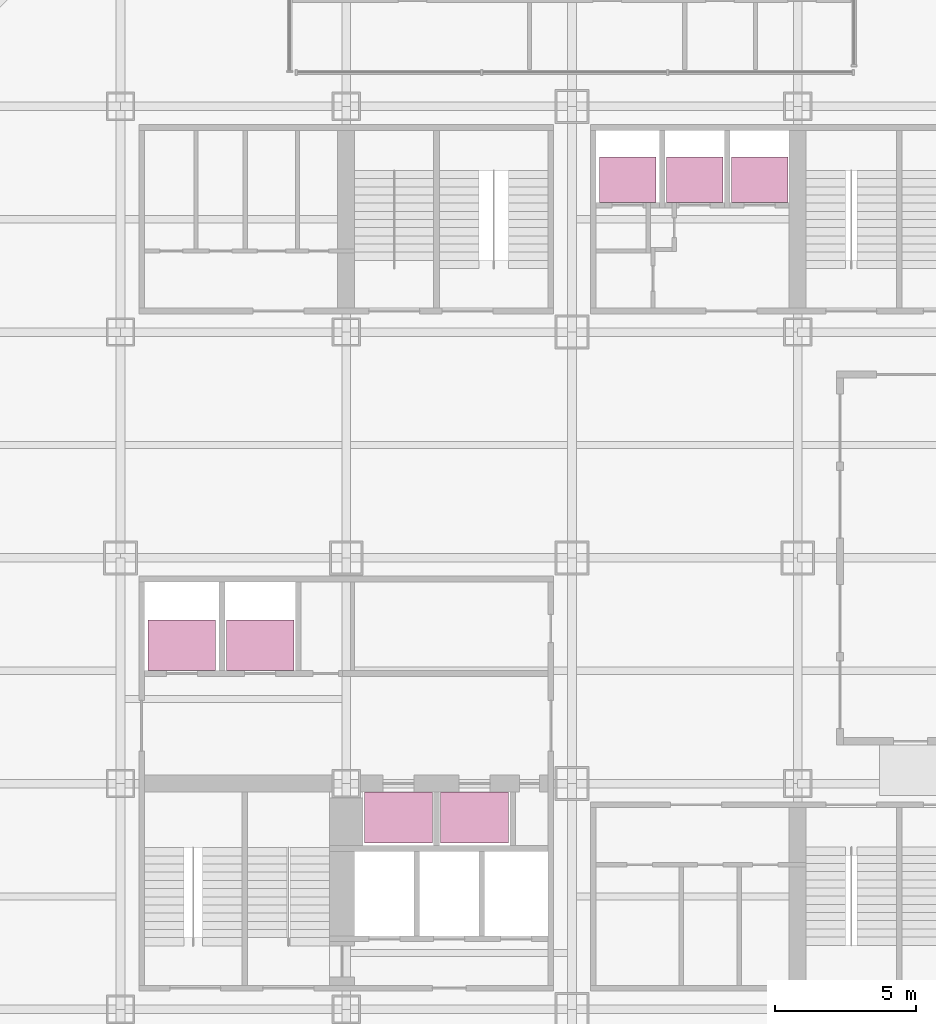
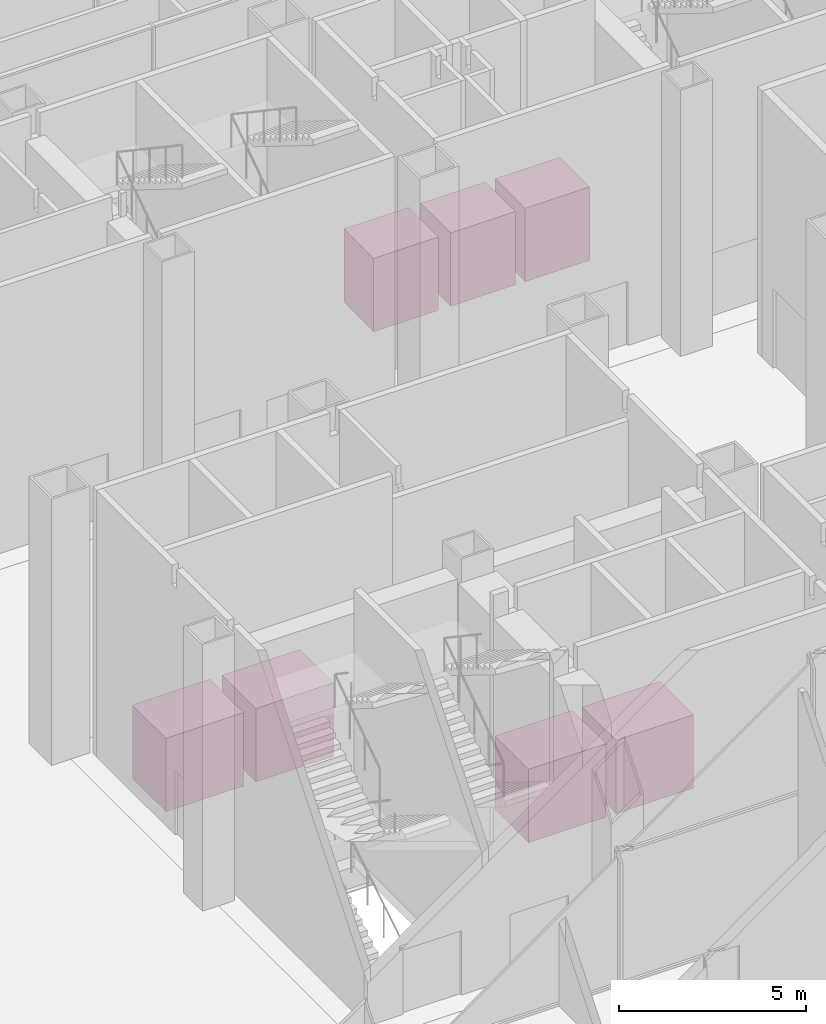
# One storey, part 14 of 14: 7 transport elements.
"""IFC4 building model written with IfcOpenShell, lengths in metres."""

from ifc_helpers import new_model, si_unit, direction, frame, origin, origin_2d, place, context, subcontext, project, spatial, rectangle, extrude, material, type_object, element, save


model = new_model("IFC4")

# Units and contexts
model_context = context("Model", 3, precision=1e-05, world=origin(), true_north=direction((0.0, 1.0)))
body_context = subcontext(model_context, "Body", "Model", "MODEL_VIEW")
ifc_project = project(units=[si_unit("LENGTHUNIT", "METRE"), si_unit("AREAUNIT", "SQUARE_METRE"), si_unit("VOLUMEUNIT", "CUBIC_METRE"), si_unit("PLANEANGLEUNIT", "RADIAN"), si_unit("MASSUNIT", "GRAM", prefix="KILO")], contexts=[model_context])

# Site, building, storey
site_placement = place(None, origin())
site = spatial("IfcSite", under=ifc_project, at=site_placement, CompositionType="ELEMENT")
building_placement = place(site_placement, origin())
building = spatial("IfcBuilding", under=site, at=building_placement, Name="Immortelle Media Tower", CompositionType="ELEMENT")
storey_placement = place(building_placement, origin())
storey = spatial("IfcBuildingStorey", under=building, at=storey_placement, Name="G", CompositionType="ELEMENT", Elevation=0.0)

# Transport elements
ifc_material = material(Name="Stainless steel AISI 304", Category="steel")
transport_element_type_1 = type_object("IfcTransportElementType", Name="Lift car LR 2000 x 1600", PredefinedType="ELEVATOR", material=ifc_material)
for number, where, z_axis, x_axis, name in (
    (1, (25.97509765625, 37.39990234375, 0.0), (0.0, 0.0, 1.0), (1.0, 0.0, 0.0), "Lift LR1"),
    (2, (28.35009765625, 37.39990234375, 0.0), (0.0, 0.0, 1.0), (1.0, 0.0, 0.0), "Lift LR2"),
    (3, (30.64990234375, 37.39990234375, 0.0), (0.0, 0.0, 1.0), (1.0, 0.0, 0.0), "Lift LR3"),
):
    element("IfcTransportElement", number, at=place(storey_placement, frame(where, z_axis=z_axis, x_axis=x_axis)), inside=storey, type_object=transport_element_type_1, Name=name, PredefinedType="ELEVATOR", context=body_context, shape_type="SweptSolid", body=[
        extrude(rectangle(XDim=2.0, YDim=1.60009765625, at=origin_2d()), origin(), (0.0, 0.0, 1.0), 2.39990234375),
    ])
transport_element_type_2 = type_object("IfcTransportElementType", Name="Lift car SA 2400 x 1800", PredefinedType="ELEVATOR", material=ifc_material)
for number, where, z_axis, x_axis, name in (
    (4, (10.175048828125, 20.89990234375, 0.0), (0.0, 0.0, 1.0), (1.0, 0.0, 0.0), "Lift SA1"),
    (5, (12.949951171875, 20.89990234375, 0.0), (0.0, 0.0, 1.0), (1.0, 0.0, 0.0), "Lift SA2"),
):
    element("IfcTransportElement", number, at=place(storey_placement, frame(where, z_axis=z_axis, x_axis=x_axis)), inside=storey, type_object=transport_element_type_2, Name=name, PredefinedType="ELEVATOR", context=body_context, shape_type="SweptSolid", body=[
        extrude(rectangle(XDim=2.39990234375, YDim=1.800048828125, at=origin_2d()), origin(), (0.0, 0.0, 1.0), 2.39990234375),
    ])
transport_element_type_3 = type_object("IfcTransportElementType", Name="Lift car SK 2400 x 1800", PredefinedType="ELEVATOR", material=ifc_material)
for number, where, z_axis, x_axis, name in (
    (6, (17.85009765625, 14.800048828125, 0.0), (0.0, 0.0, 1.0), (1.0, 0.0, 0.0), "Lift SK1"),
    (7, (20.550048828125, 14.800048828125, 0.0), (0.0, 0.0, 1.0), (1.0, 0.0, 0.0), "Lift SK2"),
):
    element("IfcTransportElement", number, at=place(storey_placement, frame(where, z_axis=z_axis, x_axis=x_axis)), inside=storey, type_object=transport_element_type_3, Name=name, PredefinedType="ELEVATOR", context=body_context, shape_type="SweptSolid", body=[
        extrude(rectangle(XDim=2.39990234375, YDim=1.800048828125, at=origin_2d()), origin(), (0.0, 0.0, 1.0), 2.39990234375),
    ])

save(model, "model.ifc")
